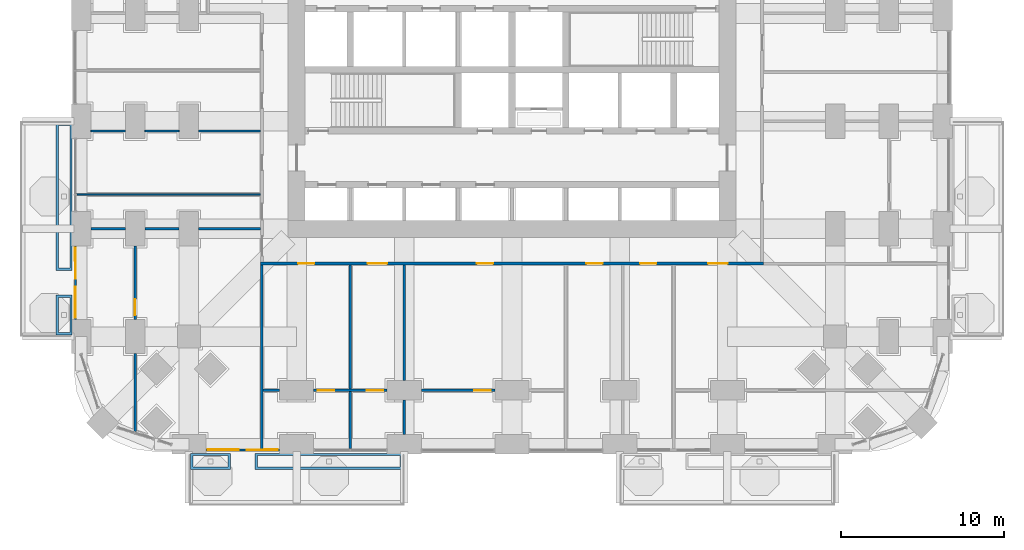
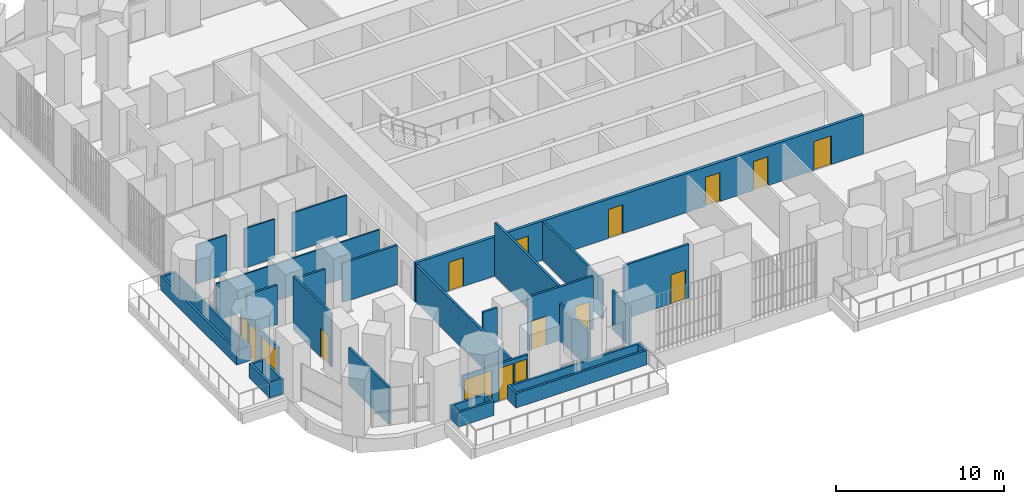
# One storey, part 18 of 27: 24 walls, 12 doors, 4 windows, 16 openings.
"""IFC4 building model written with IfcOpenShell, lengths in metres."""

from ifc_helpers import new_model, si_unit, direction, frame, frame_2d, origin, place, context, subcontext, project, spatial, polyline, rectangle, outline, extrude, material, layer, layer_set, type_object, element, fill, save


model = new_model("IFC4")

# Units and contexts
model_context = context("Model", 3, precision=1e-05, world=origin(), true_north=direction((0.0, 1.0)))
body_context = subcontext(model_context, "Body", "Model", "MODEL_VIEW")
ifc_project = project(units=[si_unit("LENGTHUNIT", "METRE"), si_unit("AREAUNIT", "SQUARE_METRE"), si_unit("VOLUMEUNIT", "CUBIC_METRE"), si_unit("PLANEANGLEUNIT", "RADIAN"), si_unit("MASSUNIT", "GRAM", prefix="KILO")], contexts=[model_context])

# Site, building, storey
site_placement = place(None, origin())
site = spatial("IfcSite", under=ifc_project, at=site_placement, CompositionType="ELEMENT")
building_placement = place(site_placement, origin())
building = spatial("IfcBuilding", under=site, at=building_placement, Name="Cobogo Forest Laboratory Tower", CompositionType="ELEMENT")
storey_placement = place(building_placement, frame((0.0, 0.0, 46.5)))
storey = spatial("IfcBuildingStorey", under=building, at=storey_placement, Name="L10", CompositionType="ELEMENT", Elevation=46.5)

# Wall, openings, door, windows
ifc_material_1 = material(Name="Aluminium framed glazed screen", Category="aluminium")
ifc_layer_1 = layer(ifc_material_1, 0.14990234375)
ifc_layer_set_1 = layer_set([ifc_layer_1], Name="GS1 glazed door screen 150")
wall_type_1 = type_object("IfcWallType", Name="GS1 glazed door screen 150", PredefinedType="SOLIDWALL", material=ifc_layer_set_1)
wall_1_placement = place(storey_placement, frame((7.64990234375, -0.35009765625, 0.0), z_axis=(0.0, 0.0, 1.0), x_axis=(1.0, 0.0, 0.0)))
wall_1 = element("IfcWall", 1, at=wall_1_placement, inside=storey, type_object=wall_type_1, Name="Door screen BAL-S1 L10", PredefinedType="SOLIDWALL", context=body_context, shape_type="SweptSolid", body=[
    extrude(rectangle(XDim=4.5, YDim=0.14990234375, at=frame_2d((2.25, 0.0))), origin(), (0.0, 0.0, 1.0), 2.699951171875),
])
opening_1_placement = place(wall_1_placement, frame((2.5, 0.0, 0.0)))
opening_1 = element("IfcOpeningElement", 2, at=opening_1_placement, cuts=wall_1, Name="Opening L10-D01", PredefinedType="OPENING", context=body_context, shape_type="SweptSolid", body=[
    extrude(rectangle(XDim=1.0, YDim=2.39990234375, at=frame_2d((0.5, 1.199951171875))), frame((0.0, 0.0849609375, 0.0), z_axis=(0.0, -1.0, 0.0), x_axis=(1.0, 0.0, 0.0)), (0.0, 0.0, 1.0), 0.169921875),
])
opening_2_placement = place(wall_1_placement, frame((0.10009765625, 0.0, 0.10009765625)))
opening_2 = element("IfcOpeningElement", 3, at=opening_2_placement, cuts=wall_1, Name="Opening L10-W01", PredefinedType="OPENING", context=body_context, shape_type="SweptSolid", body=[
    extrude(rectangle(XDim=1.89990234375, YDim=2.300048828125, at=frame_2d((0.949951171875, 1.14990234375))), frame((0.0, 0.0849609375, 0.0), z_axis=(0.0, -1.0, 0.0), x_axis=(1.0, 0.0, 0.0)), (0.0, 0.0, 1.0), 0.169921875),
])
opening_3_placement = place(wall_1_placement, frame((3.60009765625, 0.0, 0.10009765625)))
opening_3 = element("IfcOpeningElement", 4, at=opening_3_placement, cuts=wall_1, Name="Opening L10-W02", PredefinedType="OPENING", context=body_context, shape_type="SweptSolid", body=[
    extrude(rectangle(XDim=0.800048828125, YDim=2.300048828125, at=frame_2d((0.39990234375, 1.14990234375))), frame((0.0, 0.0849609375, 0.0), z_axis=(0.0, -1.0, 0.0), x_axis=(1.0, 0.0, 0.0)), (0.0, 0.0, 1.0), 0.169921875),
])
ifc_material_2 = material(Name="Aluminium glazed door", Category="aluminium")
door_type_1 = type_object("IfcDoorType", Name="DB1 balcony door 1000 glazed", OperationType="SINGLE_SWING_LEFT", PredefinedType="DOOR", material=ifc_material_2)
door_1_placement = place(opening_1_placement, origin())
door_1 = element("IfcDoor", 5, at=door_1_placement, inside=storey, type_object=door_type_1, Name="Door L10-BAL-S1", OperationType="SINGLE_SWING_RIGHT", OverallHeight=2.39990234375, OverallWidth=1.0, PredefinedType="DOOR", context=body_context, shape_type="SweptSolid", body=[
    extrude(rectangle(XDim=1.0, YDim=2.39990234375, at=frame_2d((0.5, 1.199951171875))), frame((0.0, 0.02490234375, 0.0), z_axis=(0.0, -1.0, 0.0), x_axis=(1.0, 0.0, 0.0)), (0.0, 0.0, 1.0), 0.050048828125),
])
fill(opening_1, door_1)
ifc_material_3 = material(Name="Aluminium framed glazing", Category="aluminium")
window_type_1 = type_object("IfcWindowType", Name="WG3 fixed glazed light 1900x2300", PartitioningType="SINGLE_PANEL", PredefinedType="WINDOW", material=ifc_material_3)
window_1_placement = place(opening_2_placement, origin())
window_1 = element("IfcWindow", 6, at=window_1_placement, inside=storey, type_object=window_type_1, Name="Window L10-BAL-S1-1", OverallHeight=2.300048828125, OverallWidth=1.89990234375, PartitioningType="SINGLE_PANEL", PredefinedType="WINDOW", context=body_context, shape_type="SweptSolid", body=[
    extrude(rectangle(XDim=1.89990234375, YDim=2.300048828125, at=frame_2d((0.949951171875, 1.14990234375))), frame((0.0, 0.030029296875, 0.0), z_axis=(0.0, -1.0, 0.0), x_axis=(1.0, 0.0, 0.0)), (0.0, 0.0, 1.0), 0.06005859375),
])
fill(opening_2, window_1)
window_type_2 = type_object("IfcWindowType", Name="WG4 fixed glazed light 800x2300", PartitioningType="SINGLE_PANEL", PredefinedType="WINDOW", material=ifc_material_3)
window_2_placement = place(opening_3_placement, origin())
window_2 = element("IfcWindow", 7, at=window_2_placement, inside=storey, type_object=window_type_2, Name="Window L10-BAL-S1-2", OverallHeight=2.300048828125, OverallWidth=0.800048828125, PartitioningType="SINGLE_PANEL", PredefinedType="WINDOW", context=body_context, shape_type="SweptSolid", body=[
    extrude(rectangle(XDim=0.800048828125, YDim=2.300048828125, at=frame_2d((0.39990234375, 1.14990234375))), frame((0.0, 0.030029296875, 0.0), z_axis=(0.0, -1.0, 0.0), x_axis=(1.0, 0.0, 0.0)), (0.0, 0.0, 1.0), 0.06005859375),
])
fill(opening_3, window_2)

wall_2_placement = place(storey_placement, frame((-0.35009765625, 12.14990234375, 0.0), z_axis=(0.0, 0.0, 1.0), x_axis=(0.0, -1.0, 0.0)))
wall_2 = element("IfcWall", 8, at=wall_2_placement, inside=storey, type_object=wall_type_1, Name="Door screen BAL-W1 L10", PredefinedType="SOLIDWALL", context=body_context, shape_type="SweptSolid", body=[
    extrude(rectangle(XDim=4.5, YDim=0.14990234375, at=frame_2d((2.25, 0.0))), origin(), (0.0, 0.0, 1.0), 2.699951171875),
])
opening_4_placement = place(wall_2_placement, frame((1.0, 0.0, 0.0)))
opening_4 = element("IfcOpeningElement", 9, at=opening_4_placement, cuts=wall_2, Name="Opening L10-D08", PredefinedType="OPENING", context=body_context, shape_type="SweptSolid", body=[
    extrude(rectangle(XDim=1.0, YDim=2.39990234375, at=frame_2d((0.5, 1.199951171875))), frame((0.0, 0.0849609375, 0.0), z_axis=(0.0, -1.0, 0.0), x_axis=(1.0, 0.0, 0.0)), (0.0, 0.0, 1.0), 0.169921875),
])
opening_5_placement = place(wall_2_placement, frame((0.10009765625, 0.0, 0.10009765625)))
opening_5 = element("IfcOpeningElement", 10, at=opening_5_placement, cuts=wall_2, Name="Opening L10-W07", PredefinedType="OPENING", context=body_context, shape_type="SweptSolid", body=[
    extrude(rectangle(XDim=0.800048828125, YDim=2.300048828125, at=frame_2d((0.39990234375, 1.14990234375))), frame((0.0, 0.0849609375, 0.0), z_axis=(0.0, -1.0, 0.0), x_axis=(1.0, 0.0, 0.0)), (0.0, 0.0, 1.0), 0.169921875),
])
opening_6_placement = place(wall_2_placement, frame((2.5, 0.0, 0.10009765625)))
opening_6 = element("IfcOpeningElement", 11, at=opening_6_placement, cuts=wall_2, Name="Opening L10-W05", PredefinedType="OPENING", context=body_context, shape_type="SweptSolid", body=[
    extrude(rectangle(XDim=1.89990234375, YDim=2.300048828125, at=frame_2d((0.949951171875, 1.14990234375))), frame((0.0, 0.0849609375, 0.0), z_axis=(0.0, -1.0, 0.0), x_axis=(1.0, 0.0, 0.0)), (0.0, 0.0, 1.0), 0.169921875),
])
door_2_placement = place(opening_4_placement, origin())
door_2 = element("IfcDoor", 12, at=door_2_placement, inside=storey, type_object=door_type_1, Name="Door L10-BAL-W1", OperationType="SINGLE_SWING_LEFT", OverallHeight=2.39990234375, OverallWidth=1.0, PredefinedType="DOOR", context=body_context, shape_type="SweptSolid", body=[
    extrude(rectangle(XDim=1.0, YDim=2.39990234375, at=frame_2d((0.5, 1.199951171875))), frame((0.0, 0.02490234375, 0.0), z_axis=(0.0, -1.0, 0.0), x_axis=(1.0, 0.0, 0.0)), (0.0, 0.0, 1.0), 0.050048828125),
])
fill(opening_4, door_2)
window_3_placement = place(opening_6_placement, origin())
window_3 = element("IfcWindow", 13, at=window_3_placement, inside=storey, type_object=window_type_1, Name="Window L10-BAL-W1-2", OverallHeight=2.300048828125, OverallWidth=1.89990234375, PartitioningType="SINGLE_PANEL", PredefinedType="WINDOW", context=body_context, shape_type="SweptSolid", body=[
    extrude(rectangle(XDim=1.89990234375, YDim=2.300048828125, at=frame_2d((0.949951171875, 1.14990234375))), frame((0.0, 0.030029296875, 0.0), z_axis=(0.0, -1.0, 0.0), x_axis=(1.0, 0.0, 0.0)), (0.0, 0.0, 1.0), 0.06005859375),
])
fill(opening_6, window_3)
window_4_placement = place(opening_5_placement, origin())
window_4 = element("IfcWindow", 14, at=window_4_placement, inside=storey, type_object=window_type_2, Name="Window L10-BAL-W1-1", OverallHeight=2.300048828125, OverallWidth=0.800048828125, PartitioningType="SINGLE_PANEL", PredefinedType="WINDOW", context=body_context, shape_type="SweptSolid", body=[
    extrude(rectangle(XDim=0.800048828125, YDim=2.300048828125, at=frame_2d((0.39990234375, 1.14990234375))), frame((0.0, 0.030029296875, 0.0), z_axis=(0.0, -1.0, 0.0), x_axis=(1.0, 0.0, 0.0)), (0.0, 0.0, 1.0), 0.06005859375),
])
fill(opening_5, window_4)

# Walls
ifc_material_4 = material(Name="Gypsum board on steel studs", Category="steel")
ifc_layer_2 = layer(ifc_material_4, 0.14990234375)
ifc_layer_set_2 = layer_set([ifc_layer_2], Name="PT1 laboratory partition 150")
wall_type_2 = type_object("IfcWallType", Name="PT1 laboratory partition 150", PredefinedType="PARTITIONING", material=ifc_layer_set_2)
wall_3_placement = place(storey_placement, frame((11.074951171875, -0.27001953125, 0.0), z_axis=(0.0, 0.0, 1.0), x_axis=(0.0, 1.0, 0.0)))
element("IfcWall", 15, at=wall_3_placement, inside=storey, type_object=wall_type_2, Name="Partition PW-SW L10", PredefinedType="PARTITIONING", context=body_context, shape_type="SweptSolid", body=[
    extrude(rectangle(XDim=11.2451171875, YDim=0.14990234375, at=frame_2d((5.62255859375, 0.0))), origin(), (0.0, 0.0, 1.0), 2.699951171875),
])
wall_4_placement = place(storey_placement, frame((11.14990234375, 3.300048828125, 0.0), z_axis=(0.0, 0.0, 1.0), x_axis=(1.0, 0.0, 0.0)))
element("IfcWall", 16, at=wall_4_placement, inside=storey, type_object=wall_type_2, Name="Partition STRIP-S-1 L10", PredefinedType="PARTITIONING", context=body_context, shape_type="SweptSolid", body=[
    extrude(rectangle(XDim=1.0, YDim=0.14990234375, at=frame_2d((0.5, 0.0))), origin(), (0.0, 0.0, 1.0), 3.89990234375),
])

# Wall, openings, doors
wall_5_placement = place(storey_placement, frame((14.25, 3.300048828125, 0.0), z_axis=(0.0, 0.0, 1.0), x_axis=(1.0, 0.0, 0.0)))
wall_5 = element("IfcWall", 17, at=wall_5_placement, inside=storey, type_object=wall_type_2, Name="Partition STRIP-S-2 L10", PredefinedType="PARTITIONING", context=body_context, shape_type="SweptSolid", body=[
    extrude(rectangle(XDim=4.5, YDim=0.14990234375, at=frame_2d((2.25, 0.0))), origin(), (0.0, 0.0, 1.0), 3.89990234375),
])
opening_7_placement = place(wall_5_placement, frame((0.25, 0.0, 0.0)))
opening_7 = element("IfcOpeningElement", 18, at=opening_7_placement, cuts=wall_5, Name="Opening L10-D03", PredefinedType="OPENING", context=body_context, shape_type="SweptSolid", body=[
    extrude(rectangle(XDim=1.0, YDim=2.10009765625, at=frame_2d((0.5, 1.050048828125))), frame((0.0, 0.0849609375, 0.0), z_axis=(0.0, -1.0, 0.0), x_axis=(1.0, 0.0, 0.0)), (0.0, 0.0, 1.0), 0.169921875),
])
opening_8_placement = place(wall_5_placement, frame((3.25, 0.0, 0.0)))
opening_8 = element("IfcOpeningElement", 19, at=opening_8_placement, cuts=wall_5, Name="Opening L10-D04", PredefinedType="OPENING", context=body_context, shape_type="SweptSolid", body=[
    extrude(rectangle(XDim=1.0, YDim=2.10009765625, at=frame_2d((0.5, 1.050048828125))), frame((0.0, 0.0849609375, 0.0), z_axis=(0.0, -1.0, 0.0), x_axis=(1.0, 0.0, 0.0)), (0.0, 0.0, 1.0), 0.169921875),
])
ifc_material_5 = material(Name="Timber fire door", Category="wood")
door_type_2 = type_object("IfcDoorType", Name="FD2 fire door 1000 EI2 30", OperationType="SINGLE_SWING_LEFT", PredefinedType="DOOR", material=ifc_material_5)
door_3_placement = place(opening_7_placement, origin())
door_3 = element("IfcDoor", 20, at=door_3_placement, inside=storey, type_object=door_type_2, Name="Door L10-S1W", OperationType="SINGLE_SWING_LEFT", OverallHeight=2.10009765625, OverallWidth=1.0, PredefinedType="DOOR", context=body_context, shape_type="SweptSolid", body=[
    extrude(rectangle(XDim=1.0, YDim=2.10009765625, at=frame_2d((0.5, 1.050048828125))), frame((0.0, 0.02490234375, 0.0), z_axis=(0.0, -1.0, 0.0), x_axis=(1.0, 0.0, 0.0)), (0.0, 0.0, 1.0), 0.050048828125),
])
fill(opening_7, door_3)
door_4_placement = place(opening_8_placement, origin())
door_4 = element("IfcDoor", 21, at=door_4_placement, inside=storey, type_object=door_type_2, Name="Door L10-S2W", OperationType="SINGLE_SWING_RIGHT", OverallHeight=2.10009765625, OverallWidth=1.0, PredefinedType="DOOR", context=body_context, shape_type="SweptSolid", body=[
    extrude(rectangle(XDim=1.0, YDim=2.10009765625, at=frame_2d((0.5, 1.050048828125))), frame((0.0, 0.02490234375, 0.0), z_axis=(0.0, -1.0, 0.0), x_axis=(1.0, 0.0, 0.0)), (0.0, 0.0, 1.0), 0.050048828125),
])
fill(opening_8, door_4)

# Wall, opening, door
wall_6_placement = place(storey_placement, frame((20.85009765625, 3.300048828125, 0.0), z_axis=(0.0, 0.0, 1.0), x_axis=(1.0, 0.0, 0.0)))
wall_6 = element("IfcWall", 22, at=wall_6_placement, inside=storey, type_object=wall_type_2, Name="Partition STRIP-S-3 L10", PredefinedType="PARTITIONING", context=body_context, shape_type="SweptSolid", body=[
    extrude(rectangle(XDim=4.5, YDim=0.14990234375, at=frame_2d((2.25, 0.0))), origin(), (0.0, 0.0, 1.0), 3.89990234375),
])
opening_9_placement = place(wall_6_placement, frame((3.25, 0.0, 0.0)))
opening_9 = element("IfcOpeningElement", 23, at=opening_9_placement, cuts=wall_6, Name="Opening L10-D05", PredefinedType="OPENING", context=body_context, shape_type="SweptSolid", body=[
    extrude(rectangle(XDim=1.0, YDim=2.10009765625, at=frame_2d((0.5, 1.050048828125))), frame((0.0, 0.0849609375, 0.0), z_axis=(0.0, -1.0, 0.0), x_axis=(1.0, 0.0, 0.0)), (0.0, 0.0, 1.0), 0.169921875),
])
door_5_placement = place(opening_9_placement, origin())
door_5 = element("IfcDoor", 24, at=door_5_placement, inside=storey, type_object=door_type_2, Name="Door L10-S3W", OperationType="SINGLE_SWING_RIGHT", OverallHeight=2.10009765625, OverallWidth=1.0, PredefinedType="DOOR", context=body_context, shape_type="SweptSolid", body=[
    extrude(rectangle(XDim=1.0, YDim=2.10009765625, at=frame_2d((0.5, 1.050048828125))), frame((0.0, 0.02490234375, 0.0), z_axis=(0.0, -1.0, 0.0), x_axis=(1.0, 0.0, 0.0)), (0.0, 0.0, 1.0), 0.050048828125),
])
fill(opening_9, door_5)

# Walls
wall_7_placement = place(storey_placement, frame((16.5, -0.27001953125, 0.0), z_axis=(0.0, 0.0, 1.0), x_axis=(0.0, 1.0, 0.0)))
element("IfcWall", 25, at=wall_7_placement, inside=storey, type_object=wall_type_2, Name="Partition CUT-S16.5a-1 L10", PredefinedType="PARTITIONING", context=body_context, shape_type="SweptSolid", body=[
    extrude(rectangle(XDim=3.4951171875, YDim=0.14990234375, at=frame_2d((1.74755859375, 0.0))), origin(), (0.0, 0.0, 1.0), 2.699951171875),
])
wall_8_placement = place(storey_placement, frame((16.5, 3.375, 0.0), z_axis=(0.0, 0.0, 1.0), x_axis=(0.0, 1.0, 0.0)))
element("IfcWall", 26, at=wall_8_placement, inside=storey, type_object=wall_type_2, Name="Partition CUT-S16.5b-1 L10", PredefinedType="PARTITIONING", context=body_context, shape_type="SweptSolid", body=[
    extrude(rectangle(XDim=7.60009765625, YDim=0.14990234375, at=frame_2d((3.800048828125, 0.0))), origin(), (0.0, 0.0, 1.0), 3.89990234375),
])
wall_9_placement = place(storey_placement, frame((19.800048828125, 0.60009765625, 0.0), z_axis=(0.0, 0.0, 1.0), x_axis=(0.0, 1.0, 0.0)))
element("IfcWall", 27, at=wall_9_placement, inside=storey, type_object=wall_type_2, Name="Partition CUT-S19.8a-1 L10", PredefinedType="PARTITIONING", context=body_context, shape_type="SweptSolid", body=[
    extrude(rectangle(XDim=2.099853515625, YDim=0.14990234375, at=frame_2d((1.0498046875, 0.0))), origin(), (0.0, 0.0, 1.0), 2.85009765625),
])
wall_10_placement = place(storey_placement, frame((19.800048828125, 3.89990234375, 0.0), z_axis=(0.0, 0.0, 1.0), x_axis=(0.0, 1.0, 0.0)))
element("IfcWall", 28, at=wall_10_placement, inside=storey, type_object=wall_type_2, Name="Partition CUT-S19.8b-1 L10", PredefinedType="PARTITIONING", context=body_context, shape_type="SweptSolid", body=[
    extrude(rectangle(XDim=7.0751953125, YDim=0.14990234375, at=frame_2d((3.53759765625, 0.0))), origin(), (0.0, 0.0, 1.0), 2.85009765625),
])

# Wall, opening, door
wall_11_placement = place(storey_placement, frame((3.300048828125, 12.14990234375, 0.0), z_axis=(0.0, 0.0, 1.0), x_axis=(0.0, -1.0, 0.0)))
wall_11 = element("IfcWall", 29, at=wall_11_placement, inside=storey, type_object=wall_type_2, Name="Partition STRIP-W-3 L10", PredefinedType="PARTITIONING", context=body_context, shape_type="SweptSolid", body=[
    extrude(rectangle(XDim=4.5, YDim=0.14990234375, at=frame_2d((2.25, 0.0))), origin(), (0.0, 0.0, 1.0), 3.89990234375),
])
opening_10_placement = place(wall_11_placement, frame((3.25, 0.0, 0.0)))
opening_10 = element("IfcOpeningElement", 30, at=opening_10_placement, cuts=wall_11, Name="Opening L10-D07", PredefinedType="OPENING", context=body_context, shape_type="SweptSolid", body=[
    extrude(rectangle(XDim=1.0, YDim=2.10009765625, at=frame_2d((0.5, 1.050048828125))), frame((0.0, 0.0849609375, 0.0), z_axis=(0.0, -1.0, 0.0), x_axis=(1.0, 0.0, 0.0)), (0.0, 0.0, 1.0), 0.169921875),
])
door_6_placement = place(opening_10_placement, origin())
door_6 = element("IfcDoor", 31, at=door_6_placement, inside=storey, type_object=door_type_2, Name="Door L10-W1W", OperationType="SINGLE_SWING_RIGHT", OverallHeight=2.10009765625, OverallWidth=1.0, PredefinedType="DOOR", context=body_context, shape_type="SweptSolid", body=[
    extrude(rectangle(XDim=1.0, YDim=2.10009765625, at=frame_2d((0.5, 1.050048828125))), frame((0.0, 0.02490234375, 0.0), z_axis=(0.0, -1.0, 0.0), x_axis=(1.0, 0.0, 0.0)), (0.0, 0.0, 1.0), 0.050048828125),
])
fill(opening_10, door_6)

# Walls
wall_12_placement = place(storey_placement, frame((3.300048828125, 5.550048828125, 0.0), z_axis=(0.0, 0.0, 1.0), x_axis=(0.0, -1.0, 0.0)))
element("IfcWall", 32, at=wall_12_placement, inside=storey, type_object=wall_type_2, Name="Partition STRIP-W-4 L10", PredefinedType="PARTITIONING", context=body_context, shape_type="SweptSolid", body=[
    extrude(rectangle(XDim=4.77392578125, YDim=0.14990234375, at=frame_2d((2.386962890625, 0.0))), origin(), (0.0, 0.0, 1.0), 2.699951171875),
])
wall_13_placement = place(storey_placement, frame((0.60009765625, 13.199951171875, 0.0), z_axis=(0.0, 0.0, 1.0), x_axis=(1.0, 0.0, 0.0)))
element("IfcWall", 33, at=wall_13_placement, inside=storey, type_object=wall_type_2, Name="Partition CUT-W13.2-1 L10", PredefinedType="PARTITIONING", context=body_context, shape_type="SweptSolid", body=[
    extrude(rectangle(XDim=2.099853515625, YDim=0.14990234375, at=frame_2d((1.0498046875, 0.0))), origin(), (0.0, 0.0, 1.0), 2.85009765625),
])
wall_14_placement = place(storey_placement, frame((3.89990234375, 13.199951171875, 0.0), z_axis=(0.0, 0.0, 1.0), x_axis=(1.0, 0.0, 0.0)))
element("IfcWall", 34, at=wall_14_placement, inside=storey, type_object=wall_type_2, Name="Partition CUT-W13.2-2 L10", PredefinedType="PARTITIONING", context=body_context, shape_type="SweptSolid", body=[
    extrude(rectangle(XDim=2.10009765625, YDim=0.14990234375, at=frame_2d((1.050048828125, 0.0))), origin(), (0.0, 0.0, 1.0), 2.85009765625),
])
wall_15_placement = place(storey_placement, frame((7.199951171875, 13.199951171875, 0.0), z_axis=(0.0, 0.0, 1.0), x_axis=(1.0, 0.0, 0.0)))
element("IfcWall", 35, at=wall_15_placement, inside=storey, type_object=wall_type_2, Name="Partition CUT-W13.2-3 L10", PredefinedType="PARTITIONING", context=body_context, shape_type="SweptSolid", body=[
    extrude(rectangle(XDim=3.775146484375, YDim=0.14990234375, at=frame_2d((1.8876953125, 0.0))), origin(), (0.0, 0.0, 1.0), 2.85009765625),
])

# Wall, openings, doors
ifc_layer_3 = layer(ifc_material_4, 0.199951171875)
ifc_layer_set_3 = layer_set([ifc_layer_3], Name="PT2 fire-rated corridor partition 200")
wall_type_3 = type_object("IfcWallType", Name="PT2 fire-rated corridor partition 200", PredefinedType="PARTITIONING", material=ifc_layer_set_3)
wall_16_placement = place(storey_placement, frame((10.97509765625, 11.074951171875, 0.0), z_axis=(0.0, 0.0, 1.0), x_axis=(1.0, 0.0, 0.0)))
wall_16 = element("IfcWall", 36, at=wall_16_placement, inside=storey, type_object=wall_type_3, Name="Partition CORR-S L10", PredefinedType="PARTITIONING", context=body_context, shape_type="SweptSolid", body=[
    extrude(rectangle(XDim=30.849853515625, YDim=0.199951171875, at=frame_2d((15.4248046875, 0.0))), origin(), (0.0, 0.0, 1.0), 2.85009765625),
])
opening_11_placement = place(wall_16_placement, frame((2.3125, 0.0, 0.0)))
opening_11 = element("IfcOpeningElement", 37, at=opening_11_placement, cuts=wall_16, Name="Opening L10-D10", PredefinedType="OPENING", context=body_context, shape_type="SweptSolid", body=[
    extrude(rectangle(XDim=1.0, YDim=2.10009765625, at=frame_2d((0.5, 1.050048828125))), frame((0.0, 0.10986328125, 0.0), z_axis=(0.0, -1.0, 0.0), x_axis=(1.0, 0.0, 0.0)), (0.0, 0.0, 1.0), 0.219970703125),
])
opening_12_placement = place(wall_16_placement, frame((6.574951171875, 0.0, 0.0)))
opening_12 = element("IfcOpeningElement", 38, at=opening_12_placement, cuts=wall_16, Name="Opening L10-D11", PredefinedType="OPENING", context=body_context, shape_type="SweptSolid", body=[
    extrude(rectangle(XDim=1.199951171875, YDim=2.10009765625, at=frame_2d((0.60009765625, 1.050048828125))), frame((0.0, 0.10986328125, 0.0), z_axis=(0.0, -1.0, 0.0), x_axis=(1.0, 0.0, 0.0)), (0.0, 0.0, 1.0), 0.219970703125),
])
opening_13_placement = place(wall_16_placement, frame((13.27490234375, 0.0, 0.0)))
opening_13 = element("IfcOpeningElement", 39, at=opening_13_placement, cuts=wall_16, Name="Opening L10-D12", PredefinedType="OPENING", context=body_context, shape_type="SweptSolid", body=[
    extrude(rectangle(XDim=1.0, YDim=2.10009765625, at=frame_2d((0.5, 1.050048828125))), frame((0.0, 0.10986328125, 0.0), z_axis=(0.0, -1.0, 0.0), x_axis=(1.0, 0.0, 0.0)), (0.0, 0.0, 1.0), 0.219970703125),
])
opening_14_placement = place(wall_16_placement, frame((19.97509765625, 0.0, 0.0)))
opening_14 = element("IfcOpeningElement", 40, at=opening_14_placement, cuts=wall_16, Name="Opening L10-D13", PredefinedType="OPENING", context=body_context, shape_type="SweptSolid", body=[
    extrude(rectangle(XDim=1.0, YDim=2.10009765625, at=frame_2d((0.5, 1.050048828125))), frame((0.0, 0.10986328125, 0.0), z_axis=(0.0, -1.0, 0.0), x_axis=(1.0, 0.0, 0.0)), (0.0, 0.0, 1.0), 0.219970703125),
])
opening_15_placement = place(wall_16_placement, frame((23.27490234375, 0.0, 0.0)))
opening_15 = element("IfcOpeningElement", 41, at=opening_15_placement, cuts=wall_16, Name="Opening L10-D14", PredefinedType="OPENING", context=body_context, shape_type="SweptSolid", body=[
    extrude(rectangle(XDim=1.0, YDim=2.10009765625, at=frame_2d((0.5, 1.050048828125))), frame((0.0, 0.10986328125, 0.0), z_axis=(0.0, -1.0, 0.0), x_axis=(1.0, 0.0, 0.0)), (0.0, 0.0, 1.0), 0.219970703125),
])
opening_16_placement = place(wall_16_placement, frame((27.4375, 0.0, 0.0)))
opening_16 = element("IfcOpeningElement", 42, at=opening_16_placement, cuts=wall_16, Name="Opening L10-D15", PredefinedType="OPENING", context=body_context, shape_type="SweptSolid", body=[
    extrude(rectangle(XDim=1.199951171875, YDim=2.10009765625, at=frame_2d((0.60009765625, 1.050048828125))), frame((0.0, 0.10986328125, 0.0), z_axis=(0.0, -1.0, 0.0), x_axis=(1.0, 0.0, 0.0)), (0.0, 0.0, 1.0), 0.219970703125),
])
ifc_material_6 = material(Name="Timber door", Category="wood")
door_type_3 = type_object("IfcDoorType", Name="D2 laboratory door 1200 unequal pair", OperationType="DOUBLE_DOOR_SINGLE_SWING", PredefinedType="DOOR", material=ifc_material_6)
door_7_placement = place(opening_12_placement, origin())
door_7 = element("IfcDoor", 43, at=door_7_placement, inside=storey, type_object=door_type_3, Name="Door L10-S2", OperationType="DOUBLE_DOOR_SINGLE_SWING", OverallHeight=2.10009765625, OverallWidth=1.199951171875, PredefinedType="DOOR", context=body_context, shape_type="SweptSolid", body=[
    extrude(rectangle(XDim=1.199951171875, YDim=2.10009765625, at=frame_2d((0.60009765625, 1.050048828125))), frame((0.0, 0.02490234375, 0.0), z_axis=(0.0, -1.0, 0.0), x_axis=(1.0, 0.0, 0.0)), (0.0, 0.0, 1.0), 0.050048828125),
])
fill(opening_12, door_7)
door_8_placement = place(opening_16_placement, origin())
door_8 = element("IfcDoor", 44, at=door_8_placement, inside=storey, type_object=door_type_3, Name="Door L10-S4", OperationType="DOUBLE_DOOR_SINGLE_SWING", OverallHeight=2.10009765625, OverallWidth=1.199951171875, PredefinedType="DOOR", context=body_context, shape_type="SweptSolid", body=[
    extrude(rectangle(XDim=1.199951171875, YDim=2.10009765625, at=frame_2d((0.60009765625, 1.050048828125))), frame((0.0, 0.02490234375, 0.0), z_axis=(0.0, -1.0, 0.0), x_axis=(1.0, 0.0, 0.0)), (0.0, 0.0, 1.0), 0.050048828125),
])
fill(opening_16, door_8)
door_9_placement = place(opening_11_placement, origin())
door_9 = element("IfcDoor", 45, at=door_9_placement, inside=storey, type_object=door_type_2, Name="Door L10-S1", OperationType="SINGLE_SWING_LEFT", OverallHeight=2.10009765625, OverallWidth=1.0, PredefinedType="DOOR", context=body_context, shape_type="SweptSolid", body=[
    extrude(rectangle(XDim=1.0, YDim=2.10009765625, at=frame_2d((0.5, 1.050048828125))), frame((0.0, 0.02490234375, 0.0), z_axis=(0.0, -1.0, 0.0), x_axis=(1.0, 0.0, 0.0)), (0.0, 0.0, 1.0), 0.050048828125),
])
fill(opening_11, door_9)
door_10_placement = place(opening_13_placement, origin())
door_10 = element("IfcDoor", 46, at=door_10_placement, inside=storey, type_object=door_type_2, Name="Door L10-S3", OperationType="SINGLE_SWING_LEFT", OverallHeight=2.10009765625, OverallWidth=1.0, PredefinedType="DOOR", context=body_context, shape_type="SweptSolid", body=[
    extrude(rectangle(XDim=1.0, YDim=2.10009765625, at=frame_2d((0.5, 1.050048828125))), frame((0.0, 0.02490234375, 0.0), z_axis=(0.0, -1.0, 0.0), x_axis=(1.0, 0.0, 0.0)), (0.0, 0.0, 1.0), 0.050048828125),
])
fill(opening_13, door_10)
door_11_placement = place(opening_14_placement, origin())
door_11 = element("IfcDoor", 47, at=door_11_placement, inside=storey, type_object=door_type_2, Name="Door L10-MTG", OperationType="SINGLE_SWING_RIGHT", OverallHeight=2.10009765625, OverallWidth=1.0, PredefinedType="DOOR", context=body_context, shape_type="SweptSolid", body=[
    extrude(rectangle(XDim=1.0, YDim=2.10009765625, at=frame_2d((0.5, 1.050048828125))), frame((0.0, 0.02490234375, 0.0), z_axis=(0.0, -1.0, 0.0), x_axis=(1.0, 0.0, 0.0)), (0.0, 0.0, 1.0), 0.050048828125),
])
fill(opening_14, door_11)
door_12_placement = place(opening_15_placement, origin())
door_12 = element("IfcDoor", 48, at=door_12_placement, inside=storey, type_object=door_type_2, Name="Door L10-PAN", OperationType="SINGLE_SWING_RIGHT", OverallHeight=2.10009765625, OverallWidth=1.0, PredefinedType="DOOR", context=body_context, shape_type="SweptSolid", body=[
    extrude(rectangle(XDim=1.0, YDim=2.10009765625, at=frame_2d((0.5, 1.050048828125))), frame((0.0, 0.02490234375, 0.0), z_axis=(0.0, -1.0, 0.0), x_axis=(1.0, 0.0, 0.0)), (0.0, 0.0, 1.0), 0.050048828125),
])
fill(opening_15, door_12)

# Walls
ifc_layer_4 = layer(ifc_material_4, 0.10009765625)
ifc_layer_set_4 = layer_set([ifc_layer_4], Name="PT3 toilet partition 100")
wall_type_4 = type_object("IfcWallType", Name="PT3 toilet partition 100", PredefinedType="PARTITIONING", material=ifc_layer_set_4)
wall_17_placement = place(storey_placement, frame((-0.27001953125, 15.300048828125, 0.0), z_axis=(0.0, 0.0, 1.0), x_axis=(1.0, 0.0, 0.0)))
element("IfcWall", 49, at=wall_17_placement, inside=storey, type_object=wall_type_4, Name="Partition SVC-W1-1 L10", PredefinedType="PARTITIONING", context=body_context, shape_type="SweptSolid", body=[
    extrude(rectangle(XDim=11.2451171875, YDim=0.10009765625, at=frame_2d((5.62255859375, 0.0))), origin(), (0.0, 0.0, 1.0), 2.699951171875),
])
wall_18_placement = place(storey_placement, frame((0.60009765625, 19.199951171875, 0.0), z_axis=(0.0, 0.0, 1.0), x_axis=(1.0, 0.0, 0.0)))
element("IfcWall", 50, at=wall_18_placement, inside=storey, type_object=wall_type_4, Name="Partition SVC-W2-1 L10", PredefinedType="PARTITIONING", context=body_context, shape_type="SweptSolid", body=[
    extrude(rectangle(XDim=2.099853515625, YDim=0.10009765625, at=frame_2d((1.0498046875, 0.0))), origin(), (0.0, 0.0, 1.0), 2.85009765625),
])
wall_19_placement = place(storey_placement, frame((3.89990234375, 19.199951171875, 0.0), z_axis=(0.0, 0.0, 1.0), x_axis=(1.0, 0.0, 0.0)))
element("IfcWall", 51, at=wall_19_placement, inside=storey, type_object=wall_type_4, Name="Partition SVC-W2-2 L10", PredefinedType="PARTITIONING", context=body_context, shape_type="SweptSolid", body=[
    extrude(rectangle(XDim=2.10009765625, YDim=0.10009765625, at=frame_2d((1.050048828125, 0.0))), origin(), (0.0, 0.0, 1.0), 2.85009765625),
])
wall_20_placement = place(storey_placement, frame((7.199951171875, 19.199951171875, 0.0), z_axis=(0.0, 0.0, 1.0), x_axis=(1.0, 0.0, 0.0)))
element("IfcWall", 52, at=wall_20_placement, inside=storey, type_object=wall_type_4, Name="Partition SVC-W2-3 L10", PredefinedType="PARTITIONING", context=body_context, shape_type="SweptSolid", body=[
    extrude(rectangle(XDim=3.775146484375, YDim=0.10009765625, at=frame_2d((1.8876953125, 0.0))), origin(), (0.0, 0.0, 1.0), 2.85009765625),
])
ifc_material_7 = material(Name="Concrete HA-40 (C40/50)", Category="concrete")
ifc_layer_5 = layer(ifc_material_7, 0.14990234375)
ifc_layer_set_5 = layer_set([ifc_layer_5], Name="Planter box 1000x1050")
wall_type_5 = type_object("IfcWallType", Name="Planter box 1000x1050", PredefinedType="USERDEFINED", material=ifc_layer_set_5)
wall_21_placement = place(storey_placement, origin())
element("IfcWall", 53, at=wall_21_placement, inside=storey, type_object=wall_type_5, Name="Planter BAL-S1-1 L10", ObjectType="PLANTER", PredefinedType="USERDEFINED", context=body_context, shape_type="SweptSolid", body=[
    extrude(outline(polyline([(6.699951171875, -1.550048828125), (9.14990234375, -1.550048828125), (9.14990234375, -0.550048828125), (6.699951171875, -0.550048828125), (6.699951171875, -1.550048828125)]), holes=[polyline([(6.85009765625, -1.39990234375), (9.0, -1.39990234375), (9.0, -0.699951171875), (6.85009765625, -0.699951171875), (6.85009765625, -1.39990234375)])]), origin(), (0.0, 0.0, 1.0), 1.050048828125),
])
wall_22_placement = place(storey_placement, origin())
element("IfcWall", 54, at=wall_22_placement, inside=storey, type_object=wall_type_5, Name="Planter BAL-S1-2 L10", ObjectType="PLANTER", PredefinedType="USERDEFINED", context=body_context, shape_type="SweptSolid", body=[
    extrude(outline(polyline([(10.64990234375, -1.550048828125), (19.699951171875, -1.550048828125), (19.699951171875, -0.550048828125), (10.64990234375, -0.550048828125), (10.64990234375, -1.550048828125)]), holes=[polyline([(10.800048828125, -1.39990234375), (19.550048828125, -1.39990234375), (19.550048828125, -0.699951171875), (10.800048828125, -0.699951171875), (10.800048828125, -1.39990234375)])]), origin(), (0.0, 0.0, 1.0), 1.050048828125),
])
wall_23_placement = place(storey_placement, origin())
element("IfcWall", 55, at=wall_23_placement, inside=storey, type_object=wall_type_5, Name="Planter BAL-W1-1 L10", ObjectType="PLANTER", PredefinedType="USERDEFINED", context=body_context, shape_type="SweptSolid", body=[
    extrude(outline(polyline([(-1.550048828125, 6.699951171875), (-0.550048828125, 6.699951171875), (-0.550048828125, 9.14990234375), (-1.550048828125, 9.14990234375), (-1.550048828125, 6.699951171875)]), holes=[polyline([(-1.39990234375, 6.85009765625), (-0.699951171875, 6.85009765625), (-0.699951171875, 9.0), (-1.39990234375, 9.0), (-1.39990234375, 6.85009765625)])]), origin(), (0.0, 0.0, 1.0), 1.050048828125),
])
wall_24_placement = place(storey_placement, origin())
element("IfcWall", 56, at=wall_24_placement, inside=storey, type_object=wall_type_5, Name="Planter BAL-W1-2 L10", ObjectType="PLANTER", PredefinedType="USERDEFINED", context=body_context, shape_type="SweptSolid", body=[
    extrude(outline(polyline([(-1.550048828125, 10.64990234375), (-0.550048828125, 10.64990234375), (-0.550048828125, 19.699951171875), (-1.550048828125, 19.699951171875), (-1.550048828125, 10.64990234375)]), holes=[polyline([(-1.39990234375, 10.800048828125), (-0.699951171875, 10.800048828125), (-0.699951171875, 19.550048828125), (-1.39990234375, 19.550048828125), (-1.39990234375, 10.800048828125)])]), origin(), (0.0, 0.0, 1.0), 1.050048828125),
])

save(model, "model.ifc")
